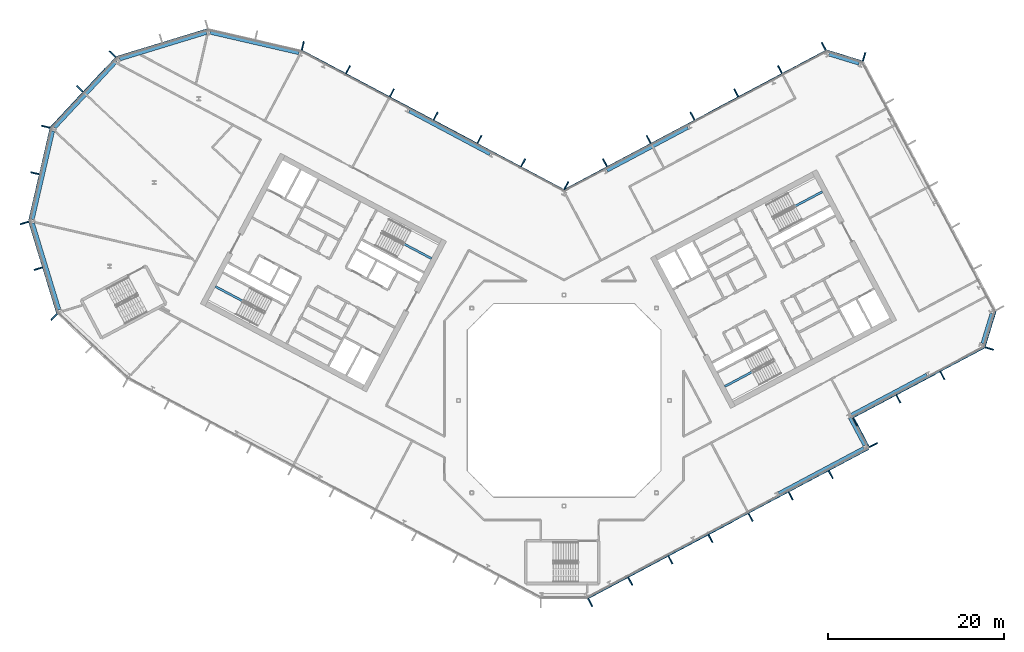
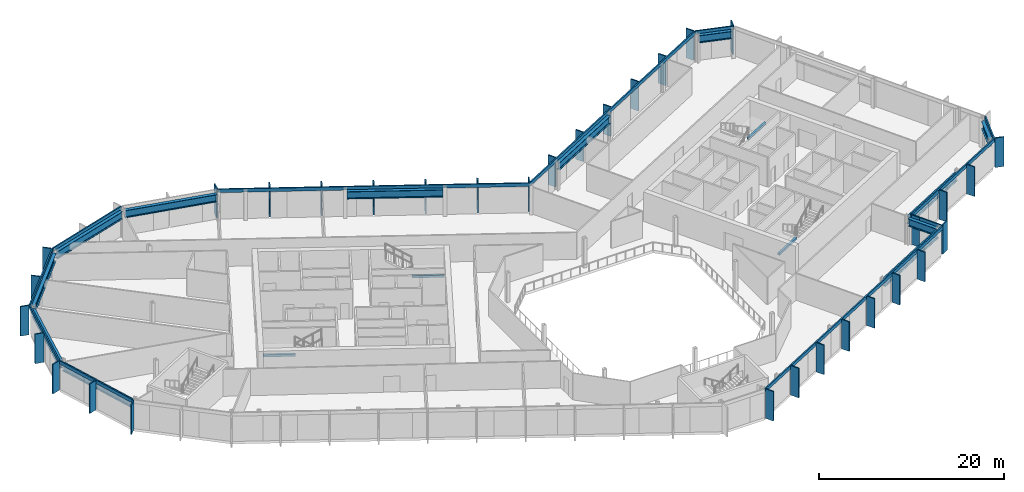
# One storey, part 9 of 26: 44 members, 16 beams, 13 elements without a shape of their own.
"""IFC4 building model written with IfcOpenShell, lengths in metres."""

from ifc_helpers import new_model, si_unit, direction, frame, origin, origin_2d, place, context, subcontext, project, spatial, rectangle, i_section, extrude, material, layer, layer_set, material_profile, profile_set, type_object, element, aggregate, save


model = new_model("IFC4")

# Units and contexts
model_context = context("Model", 3, precision=1e-05, world=origin(), true_north=direction((0.0, 1.0)))
body_context = subcontext(model_context, "Body", "Model", "MODEL_VIEW")
ifc_project = project(units=[si_unit("LENGTHUNIT", "METRE"), si_unit("AREAUNIT", "SQUARE_METRE"), si_unit("VOLUMEUNIT", "CUBIC_METRE"), si_unit("PLANEANGLEUNIT", "RADIAN"), si_unit("MASSUNIT", "GRAM", prefix="KILO")], contexts=[model_context])

# Site, building, storey
site_placement = place(None, origin())
site = spatial("IfcSite", under=ifc_project, at=site_placement, CompositionType="ELEMENT")
building_placement = place(site_placement, origin())
building = spatial("IfcBuilding", under=site, at=building_placement, Name="Cormorant Relay Tower", CompositionType="ELEMENT")
storey_placement = place(building_placement, frame((0.0, 0.0, 213.0)))
storey = spatial("IfcBuildingStorey", under=building, at=storey_placement, Name="L46", CompositionType="ELEMENT", Elevation=213.0)

# Curtain wall, members
ifc_material_1 = material(Name="Aluminium 6063-T6 anodised bronze", Category="aluminium")
ifc_layer = layer(ifc_material_1, 0.199951171875)
ifc_layer_set = layer_set([ifc_layer], Name="CW1 unitised bronze curtain wall with vertical fins")
curtain_wall_type = type_object("IfcCurtainWallType", Name="CW1 unitised bronze curtain wall with vertical fins", PredefinedType="NOTDEFINED", material=ifc_layer_set)
curtain_wall_1_placement = place(storey_placement, origin())
curtain_wall_1 = element("IfcCurtainWall", 1, at=curtain_wall_1_placement, inside=storey, type_object=curtain_wall_type, Name="CW1 curtain wall 2", PredefinedType="NOTDEFINED")
ifc_material_2 = material(Name="Aluminium 6063-T6 anodised bronze", Category="aluminium")
ifc_material_profile_1 = material_profile(ifc_material_2, rectangle(XDim=0.14990234375, YDim=1.0, at=origin_2d()), Name="AL 150x1000")
ifc_profile_set_1 = profile_set([ifc_material_profile_1], Name="Aluminium 6063-T6 anodised bronze")
member_type_1 = type_object("IfcMemberType", Name="CW1 bronze fin mullion 150 x 1000", PredefinedType="MULLION", material=ifc_profile_set_1)
member_1_placement = place(storey_placement, frame((2.9775390625, -22.99365234375, 0.0), z_axis=(0.0, 0.0, 1.0), x_axis=(0.882947592859, 0.469471562786, 0.0)))
member_1 = element("IfcMember", 2, at=member_1_placement, type_object=member_type_1, Name="CW1 fin 2.1", PredefinedType="MULLION", context=body_context, shape_type="SweptSolid", body=[
    extrude(rectangle(XDim=0.14990234375, YDim=1.0, at=origin_2d()), origin(), (0.0, 0.0, 1.0), 3.89990234375),
])
member_2_placement = place(storey_placement, frame((7.539306640625, -20.568115234375, 0.0), z_axis=(0.0, 0.0, 1.0), x_axis=(0.882947592859, 0.469471562786, 0.0)))
member_2 = element("IfcMember", 3, at=member_2_placement, type_object=member_type_1, Name="CW1 fin 2.2", PredefinedType="MULLION", context=body_context, shape_type="SweptSolid", body=[
    extrude(rectangle(XDim=0.14990234375, YDim=1.0, at=origin_2d()), origin(), (0.0, 0.0, 1.0), 3.89990234375),
])
member_3_placement = place(storey_placement, frame((12.10107421875, -18.142578125, 0.0), z_axis=(0.0, 0.0, 1.0), x_axis=(0.882947592859, 0.469471562786, 0.0)))
member_3 = element("IfcMember", 4, at=member_3_placement, type_object=member_type_1, Name="CW1 fin 2.3", PredefinedType="MULLION", context=body_context, shape_type="SweptSolid", body=[
    extrude(rectangle(XDim=0.14990234375, YDim=1.0, at=origin_2d()), origin(), (0.0, 0.0, 1.0), 3.89990234375),
])
member_4_placement = place(storey_placement, frame((16.662841796875, -15.717041015625, 0.0), z_axis=(0.0, 0.0, 1.0), x_axis=(0.882947592859, 0.469471562786, 0.0)))
member_4 = element("IfcMember", 5, at=member_4_placement, type_object=member_type_1, Name="CW1 fin 2.4", PredefinedType="MULLION", context=body_context, shape_type="SweptSolid", body=[
    extrude(rectangle(XDim=0.14990234375, YDim=1.0, at=origin_2d()), origin(), (0.0, 0.0, 1.0), 3.89990234375),
])
member_5_placement = place(storey_placement, frame((21.224609375, -13.29150390625, 0.0), z_axis=(0.0, 0.0, 1.0), x_axis=(0.882947592859, 0.469471562786, 0.0)))
member_5 = element("IfcMember", 6, at=member_5_placement, type_object=member_type_1, Name="CW1 fin 2.5", PredefinedType="MULLION", context=body_context, shape_type="SweptSolid", body=[
    extrude(rectangle(XDim=0.14990234375, YDim=1.0, at=origin_2d()), origin(), (0.0, 0.0, 1.0), 3.89990234375),
])
member_6_placement = place(storey_placement, frame((25.78662109375, -10.865966796875, 0.0), z_axis=(0.0, 0.0, 1.0), x_axis=(0.882947592859, 0.469471562786, 0.0)))
member_6 = element("IfcMember", 7, at=member_6_placement, type_object=member_type_1, Name="CW1 fin 2.6", PredefinedType="MULLION", context=body_context, shape_type="SweptSolid", body=[
    extrude(rectangle(XDim=0.14990234375, YDim=1.0, at=origin_2d()), origin(), (0.0, 0.0, 1.0), 3.89990234375),
])
member_7_placement = place(storey_placement, frame((30.348388671875, -8.440185546875, 0.0), z_axis=(0.0, 0.0, 1.0), x_axis=(0.882947592859, 0.469471562786, 0.0)))
member_7 = element("IfcMember", 8, at=member_7_placement, type_object=member_type_1, Name="CW1 fin 2.7", PredefinedType="MULLION", context=body_context, shape_type="SweptSolid", body=[
    extrude(rectangle(XDim=0.14990234375, YDim=1.0, at=origin_2d()), origin(), (0.0, 0.0, 1.0), 3.89990234375),
])

# Curtain wall, member
curtain_wall_2_placement = place(storey_placement, origin())
curtain_wall_2 = element("IfcCurtainWall", 9, at=curtain_wall_2_placement, inside=storey, type_object=curtain_wall_type, Name="CW1 curtain wall 3", PredefinedType="NOTDEFINED")
member_8_placement = place(storey_placement, frame((35.199462890625, -5.068115234375, 0.0), z_axis=(0.0, 0.0, 1.0), x_axis=(-0.469471562786, 0.882947592859, 0.0)))
member_8 = element("IfcMember", 10, at=member_8_placement, type_object=member_type_1, Name="CW1 fin 3.1", PredefinedType="MULLION", context=body_context, shape_type="SweptSolid", body=[
    extrude(rectangle(XDim=0.14990234375, YDim=1.0, at=origin_2d()), origin(), (0.0, 0.0, 1.0), 3.89990234375),
])

# Curtain wall, members
curtain_wall_3_placement = place(storey_placement, origin())
curtain_wall_3 = element("IfcCurtainWall", 11, at=curtain_wall_3_placement, inside=storey, type_object=curtain_wall_type, Name="CW1 curtain wall 4", PredefinedType="NOTDEFINED")
member_9_placement = place(storey_placement, frame((33.098388671875, -2.44775390625, 0.0), z_axis=(0.0, 0.0, 1.0), x_axis=(0.882947592859, 0.469471562786, 0.0)))
member_9 = element("IfcMember", 12, at=member_9_placement, type_object=member_type_1, Name="CW1 fin 4.1", PredefinedType="MULLION", context=body_context, shape_type="SweptSolid", body=[
    extrude(rectangle(XDim=0.14990234375, YDim=1.0, at=origin_2d()), origin(), (0.0, 0.0, 1.0), 3.89990234375),
])
member_10_placement = place(storey_placement, frame((38.035400390625, 0.177490234375, 0.0), z_axis=(0.0, 0.0, 1.0), x_axis=(0.882947592859, 0.469471562786, 0.0)))
member_10 = element("IfcMember", 13, at=member_10_placement, type_object=member_type_1, Name="CW1 fin 4.2", PredefinedType="MULLION", context=body_context, shape_type="SweptSolid", body=[
    extrude(rectangle(XDim=0.14990234375, YDim=1.0, at=origin_2d()), origin(), (0.0, 0.0, 1.0), 3.89990234375),
])
member_11_placement = place(storey_placement, frame((43.038818359375, 2.837646484375, 0.0), z_axis=(0.0, 0.0, 1.0), x_axis=(0.882947592859, 0.469471562786, 0.0)))
member_11 = element("IfcMember", 14, at=member_11_placement, type_object=member_type_1, Name="CW1 fin 4.3", PredefinedType="MULLION", context=body_context, shape_type="SweptSolid", body=[
    extrude(rectangle(XDim=0.14990234375, YDim=1.0, at=origin_2d()), origin(), (0.0, 0.0, 1.0), 3.89990234375),
])

# Curtain wall, member
curtain_wall_4_placement = place(storey_placement, origin())
curtain_wall_4 = element("IfcCurtainWall", 15, at=curtain_wall_4_placement, inside=storey, type_object=curtain_wall_type, Name="CW1 curtain wall 5", PredefinedType="NOTDEFINED")
member_12_placement = place(storey_placement, frame((48.383056640625, 5.91162109375, 0.0), z_axis=(0.0, 0.0, 1.0), x_axis=(0.292371704723, 0.956304755963, 0.0)))
member_12 = element("IfcMember", 16, at=member_12_placement, type_object=member_type_1, Name="CW1 fin 5.1", PredefinedType="MULLION", context=body_context, shape_type="SweptSolid", body=[
    extrude(rectangle(XDim=0.14990234375, YDim=1.0, at=origin_2d()), origin(), (0.0, 0.0, 1.0), 3.89990234375),
])

curtain_wall_5_placement = place(storey_placement, origin())
curtain_wall_5 = element("IfcCurtainWall", 17, at=curtain_wall_5_placement, inside=storey, type_object=curtain_wall_type, Name="CW1 curtain wall 7", PredefinedType="NOTDEFINED")
member_13_placement = place(storey_placement, frame((34.1357421875, 39.09716796875, 0.0), z_axis=(0.0, 0.0, 1.0), x_axis=(-0.956304755963, 0.292371704723, 0.0)))
member_13 = element("IfcMember", 18, at=member_13_placement, type_object=member_type_1, Name="CW1 fin 7.1", PredefinedType="MULLION", context=body_context, shape_type="SweptSolid", body=[
    extrude(rectangle(XDim=0.14990234375, YDim=1.0, at=origin_2d()), origin(), (0.0, 0.0, 1.0), 3.89990234375),
])

# Curtain wall, members
curtain_wall_6_placement = place(storey_placement, origin())
curtain_wall_6 = element("IfcCurtainWall", 19, at=curtain_wall_6_placement, inside=storey, type_object=curtain_wall_type, Name="CW1 curtain wall 8", PredefinedType="NOTDEFINED")
member_14_placement = place(storey_placement, frame((29.545166015625, 40.2861328125, 0.0), z_axis=(0.0, 0.0, 1.0), x_axis=(-0.882947592859, -0.469471562786, 0.0)))
member_14 = element("IfcMember", 20, at=member_14_placement, type_object=member_type_1, Name="CW1 fin 8.1", PredefinedType="MULLION", context=body_context, shape_type="SweptSolid", body=[
    extrude(rectangle(XDim=0.14990234375, YDim=1.0, at=origin_2d()), origin(), (0.0, 0.0, 1.0), 3.89990234375),
])
member_15_placement = place(storey_placement, frame((24.566162109375, 37.638916015625, 0.0), z_axis=(0.0, 0.0, 1.0), x_axis=(-0.882947592859, -0.469471562786, 0.0)))
member_15 = element("IfcMember", 21, at=member_15_placement, type_object=member_type_1, Name="CW1 fin 8.2", PredefinedType="MULLION", context=body_context, shape_type="SweptSolid", body=[
    extrude(rectangle(XDim=0.14990234375, YDim=1.0, at=origin_2d()), origin(), (0.0, 0.0, 1.0), 3.89990234375),
])
member_16_placement = place(storey_placement, frame((19.587158203125, 34.991455078125, 0.0), z_axis=(0.0, 0.0, 1.0), x_axis=(-0.882947592859, -0.469471562786, 0.0)))
member_16 = element("IfcMember", 22, at=member_16_placement, type_object=member_type_1, Name="CW1 fin 8.3", PredefinedType="MULLION", context=body_context, shape_type="SweptSolid", body=[
    extrude(rectangle(XDim=0.14990234375, YDim=1.0, at=origin_2d()), origin(), (0.0, 0.0, 1.0), 3.89990234375),
])
member_17_placement = place(storey_placement, frame((14.608154296875, 32.343994140625, 0.0), z_axis=(0.0, 0.0, 1.0), x_axis=(-0.882947592859, -0.469471562786, 0.0)))
member_17 = element("IfcMember", 23, at=member_17_placement, type_object=member_type_1, Name="CW1 fin 8.4", PredefinedType="MULLION", context=body_context, shape_type="SweptSolid", body=[
    extrude(rectangle(XDim=0.14990234375, YDim=1.0, at=origin_2d()), origin(), (0.0, 0.0, 1.0), 3.89990234375),
])
member_18_placement = place(storey_placement, frame((9.62939453125, 29.69677734375, 0.0), z_axis=(0.0, 0.0, 1.0), x_axis=(-0.882947592859, -0.469471562786, 0.0)))
member_18 = element("IfcMember", 24, at=member_18_placement, type_object=member_type_1, Name="CW1 fin 8.5", PredefinedType="MULLION", context=body_context, shape_type="SweptSolid", body=[
    extrude(rectangle(XDim=0.14990234375, YDim=1.0, at=origin_2d()), origin(), (0.0, 0.0, 1.0), 3.89990234375),
])
member_19_placement = place(storey_placement, frame((4.650390625, 27.04931640625, 0.0), z_axis=(0.0, 0.0, 1.0), x_axis=(-0.882947592859, -0.469471562786, 0.0)))
member_19 = element("IfcMember", 25, at=member_19_placement, type_object=member_type_1, Name="CW1 fin 8.6", PredefinedType="MULLION", context=body_context, shape_type="SweptSolid", body=[
    extrude(rectangle(XDim=0.14990234375, YDim=1.0, at=origin_2d()), origin(), (0.0, 0.0, 1.0), 3.89990234375),
])

curtain_wall_7_placement = place(storey_placement, origin())
curtain_wall_7 = element("IfcCurtainWall", 26, at=curtain_wall_7_placement, inside=storey, type_object=curtain_wall_type, Name="CW1 curtain wall 9", PredefinedType="NOTDEFINED")
member_20_placement = place(storey_placement, frame((0.262451171875, 24.437255859375, 0.0), z_axis=(0.0, 0.0, 1.0), x_axis=(-0.882947592859, 0.469471562786, 0.0)))
member_20 = element("IfcMember", 27, at=member_20_placement, type_object=member_type_1, Name="CW1 fin 9.1", PredefinedType="MULLION", context=body_context, shape_type="SweptSolid", body=[
    extrude(rectangle(XDim=0.14990234375, YDim=1.0, at=origin_2d()), origin(), (0.0, 0.0, 1.0), 3.89990234375),
])
member_21_placement = place(storey_placement, frame((-4.650390625, 27.04931640625, 0.0), z_axis=(0.0, 0.0, 1.0), x_axis=(-0.882947592859, 0.469471562786, 0.0)))
member_21 = element("IfcMember", 28, at=member_21_placement, type_object=member_type_1, Name="CW1 fin 9.2", PredefinedType="MULLION", context=body_context, shape_type="SweptSolid", body=[
    extrude(rectangle(XDim=0.14990234375, YDim=1.0, at=origin_2d()), origin(), (0.0, 0.0, 1.0), 3.89990234375),
])
member_22_placement = place(storey_placement, frame((-9.62939453125, 29.69677734375, 0.0), z_axis=(0.0, 0.0, 1.0), x_axis=(-0.882947592859, 0.469471562786, 0.0)))
member_22 = element("IfcMember", 29, at=member_22_placement, type_object=member_type_1, Name="CW1 fin 9.3", PredefinedType="MULLION", context=body_context, shape_type="SweptSolid", body=[
    extrude(rectangle(XDim=0.14990234375, YDim=1.0, at=origin_2d()), origin(), (0.0, 0.0, 1.0), 3.89990234375),
])
member_23_placement = place(storey_placement, frame((-14.608154296875, 32.343994140625, 0.0), z_axis=(0.0, 0.0, 1.0), x_axis=(-0.882947592859, 0.469471562786, 0.0)))
member_23 = element("IfcMember", 30, at=member_23_placement, type_object=member_type_1, Name="CW1 fin 9.4", PredefinedType="MULLION", context=body_context, shape_type="SweptSolid", body=[
    extrude(rectangle(XDim=0.14990234375, YDim=1.0, at=origin_2d()), origin(), (0.0, 0.0, 1.0), 3.89990234375),
])
member_24_placement = place(storey_placement, frame((-19.587158203125, 34.991455078125, 0.0), z_axis=(0.0, 0.0, 1.0), x_axis=(-0.882947592859, 0.469471562786, 0.0)))
member_24 = element("IfcMember", 31, at=member_24_placement, type_object=member_type_1, Name="CW1 fin 9.5", PredefinedType="MULLION", context=body_context, shape_type="SweptSolid", body=[
    extrude(rectangle(XDim=0.14990234375, YDim=1.0, at=origin_2d()), origin(), (0.0, 0.0, 1.0), 3.89990234375),
])
member_25_placement = place(storey_placement, frame((-24.566162109375, 37.638916015625, 0.0), z_axis=(0.0, 0.0, 1.0), x_axis=(-0.882947592859, 0.469471562786, 0.0)))
member_25 = element("IfcMember", 32, at=member_25_placement, type_object=member_type_1, Name="CW1 fin 9.6", PredefinedType="MULLION", context=body_context, shape_type="SweptSolid", body=[
    extrude(rectangle(XDim=0.14990234375, YDim=1.0, at=origin_2d()), origin(), (0.0, 0.0, 1.0), 3.89990234375),
])

# Curtain wall, member
curtain_wall_8_placement = place(storey_placement, origin())
curtain_wall_8 = element("IfcCurtainWall", 33, at=curtain_wall_8_placement, inside=storey, type_object=curtain_wall_type, Name="CW1 curtain wall 10", PredefinedType="NOTDEFINED")
member_26_placement = place(storey_placement, frame((-29.71630859375, 40.35009765625, 0.0), z_axis=(0.0, 0.0, 1.0), x_axis=(-0.974370064785, 0.224951054344, 0.0)))
member_26 = element("IfcMember", 34, at=member_26_placement, type_object=member_type_1, Name="CW1 fin 10.1", PredefinedType="MULLION", context=body_context, shape_type="SweptSolid", body=[
    extrude(rectangle(XDim=0.14990234375, YDim=1.0, at=origin_2d()), origin(), (0.0, 0.0, 1.0), 3.89990234375),
])
aggregate(curtain_wall_8, [member_26])

# Curtain wall, members
curtain_wall_9_placement = place(storey_placement, origin())
curtain_wall_9 = element("IfcCurtainWall", 35, at=curtain_wall_9_placement, inside=storey, type_object=curtain_wall_type, Name="CW1 curtain wall 12", PredefinedType="NOTDEFINED")
member_27_placement = place(storey_placement, frame((-51.372802734375, 39.41259765625, 0.0), z_axis=(0.0, 0.0, 1.0), x_axis=(-0.681998360062, -0.731353701619, 0.0)))
member_27 = element("IfcMember", 36, at=member_27_placement, type_object=member_type_1, Name="CW1 fin 12.1", PredefinedType="MULLION", context=body_context, shape_type="SweptSolid", body=[
    extrude(rectangle(XDim=0.14990234375, YDim=1.0, at=origin_2d()), origin(), (0.0, 0.0, 1.0), 3.89990234375),
])
member_28_placement = place(storey_placement, frame((-55.07958984375, 35.4375, 0.0), z_axis=(0.0, 0.0, 1.0), x_axis=(-0.681998360062, -0.731353701619, 0.0)))
member_28 = element("IfcMember", 37, at=member_28_placement, type_object=member_type_1, Name="CW1 fin 12.2", PredefinedType="MULLION", context=body_context, shape_type="SweptSolid", body=[
    extrude(rectangle(XDim=0.14990234375, YDim=1.0, at=origin_2d()), origin(), (0.0, 0.0, 1.0), 3.89990234375),
])

curtain_wall_10_placement = place(storey_placement, origin())
curtain_wall_10 = element("IfcCurtainWall", 38, at=curtain_wall_10_placement, inside=storey, type_object=curtain_wall_type, Name="CW1 curtain wall 13", PredefinedType="NOTDEFINED")
member_29_placement = place(storey_placement, frame((-58.95654296875, 31.142578125, 0.0), z_axis=(0.0, 0.0, 1.0), x_axis=(-0.224951054344, -0.974370064785, 0.0)))
member_29 = element("IfcMember", 39, at=member_29_placement, type_object=member_type_1, Name="CW1 fin 13.1", PredefinedType="MULLION", context=body_context, shape_type="SweptSolid", body=[
    extrude(rectangle(XDim=0.14990234375, YDim=1.0, at=origin_2d()), origin(), (0.0, 0.0, 1.0), 3.89990234375),
])
member_30_placement = place(storey_placement, frame((-60.17919921875, 25.8466796875, 0.0), z_axis=(0.0, 0.0, 1.0), x_axis=(-0.224951054344, -0.974370064785, 0.0)))
member_30 = element("IfcMember", 40, at=member_30_placement, type_object=member_type_1, Name="CW1 fin 13.2", PredefinedType="MULLION", context=body_context, shape_type="SweptSolid", body=[
    extrude(rectangle(XDim=0.14990234375, YDim=1.0, at=origin_2d()), origin(), (0.0, 0.0, 1.0), 3.89990234375),
])

curtain_wall_11_placement = place(storey_placement, origin())
curtain_wall_11 = element("IfcCurtainWall", 41, at=curtain_wall_11_placement, inside=storey, type_object=curtain_wall_type, Name="CW1 curtain wall 14", PredefinedType="NOTDEFINED")
member_31_placement = place(storey_placement, frame((-61.389404296875, 20.188720703125, 0.0), z_axis=(0.0, 0.0, 1.0), x_axis=(0.292371704723, -0.956304755963, 0.0)))
member_31 = element("IfcMember", 42, at=member_31_placement, type_object=member_type_1, Name="CW1 fin 14.1", PredefinedType="MULLION", context=body_context, shape_type="SweptSolid", body=[
    extrude(rectangle(XDim=0.14990234375, YDim=1.0, at=origin_2d()), origin(), (0.0, 0.0, 1.0), 3.89990234375),
])
member_32_placement = place(storey_placement, frame((-59.80029296875, 14.990966796875, 0.0), z_axis=(0.0, 0.0, 1.0), x_axis=(0.292371704723, -0.956304755963, 0.0)))
member_32 = element("IfcMember", 43, at=member_32_placement, type_object=member_type_1, Name="CW1 fin 14.2", PredefinedType="MULLION", context=body_context, shape_type="SweptSolid", body=[
    extrude(rectangle(XDim=0.14990234375, YDim=1.0, at=origin_2d()), origin(), (0.0, 0.0, 1.0), 3.89990234375),
])

# Curtain wall, member
curtain_wall_12_placement = place(storey_placement, origin())
curtain_wall_12 = element("IfcCurtainWall", 44, at=curtain_wall_12_placement, inside=storey, type_object=curtain_wall_type, Name="CW1 curtain wall 15", PredefinedType="NOTDEFINED")
member_33_placement = place(storey_placement, frame((-58.01904296875, 9.486083984375, 0.0), z_axis=(0.0, 0.0, 1.0), x_axis=(0.731353701619, -0.681998360062, 0.0)))
member_33 = element("IfcMember", 45, at=member_33_placement, type_object=member_type_1, Name="CW1 fin 15.1", PredefinedType="MULLION", context=body_context, shape_type="SweptSolid", body=[
    extrude(rectangle(XDim=0.14990234375, YDim=1.0, at=origin_2d()), origin(), (0.0, 0.0, 1.0), 3.89990234375),
])
aggregate(curtain_wall_12, [member_33])

# Member
ifc_material_3 = material(Name="Aluminium 6063-T6 anodised bronze", Category="aluminium")
ifc_material_profile_2 = material_profile(ifc_material_3, rectangle(XDim=0.159912109375, YDim=0.449951171875, at=origin_2d()), Name="AL 160x450")
ifc_profile_set_2 = profile_set([ifc_material_profile_2], Name="Aluminium 6063-T6 anodised bronze")
member_type_2 = type_object("IfcMemberType", Name="CW1 bronze transom 160 x 450", PredefinedType="USERDEFINED", material=ifc_profile_set_2)
member_34_placement = place(storey_placement, frame((2.705078125, -22.4814453125, 3.675048828125), z_axis=(0.882948899141, 0.469469106018, 0.0), x_axis=(-0.469469106018, 0.882948899141, 0.0)))
member_34 = element("IfcMember", 46, at=member_34_placement, type_object=member_type_2, Name="CW1 transom 2", ObjectType="TRANSOM", PredefinedType="USERDEFINED", context=body_context, shape_type="SweptSolid", body=[
    extrude(rectangle(XDim=0.159912109375, YDim=0.449951171875, at=origin_2d()), origin(), (0.0, 0.0, 1.0), 36.165771484375),
])

aggregate(curtain_wall_1, [member_1, member_2, member_3, member_4, member_5, member_6, member_7, member_34])

member_35_placement = place(storey_placement, frame((34.6875, -5.34033203125, 3.675048828125), z_axis=(-0.469485426614, 0.882940221191, 0.0), x_axis=(-0.882940221191, -0.469485426614, 0.0)))
member_35 = element("IfcMember", 47, at=member_35_placement, type_object=member_type_2, Name="CW1 transom 3", ObjectType="TRANSOM", PredefinedType="USERDEFINED", context=body_context, shape_type="SweptSolid", body=[
    extrude(rectangle(XDim=0.159912109375, YDim=0.449951171875, at=origin_2d()), origin(), (0.0, 0.0, 1.0), 4.0),
])

aggregate(curtain_wall_2, [member_8, member_35])

member_36_placement = place(storey_placement, frame((32.760009765625, -1.970947265625, 3.675048828125), z_axis=(0.882941803911, 0.469482450052, 0.0), x_axis=(-0.469482450052, 0.882941803911, 0.0)))
member_36 = element("IfcMember", 48, at=member_36_placement, type_object=member_type_2, Name="CW1 transom 4", ObjectType="TRANSOM", PredefinedType="USERDEFINED", context=body_context, shape_type="SweptSolid", body=[
    extrude(rectangle(XDim=0.159912109375, YDim=0.449951171875, at=origin_2d()), origin(), (0.0, 0.0, 1.0), 17.0),
])

aggregate(curtain_wall_3, [member_9, member_10, member_11, member_36])

member_37_placement = place(storey_placement, frame((47.828369140625, 6.0810546875, 3.675048828125), z_axis=(0.292391046905, 0.95629884225, 0.0), x_axis=(-0.95629884225, 0.292391046905, 0.0)))
member_37 = element("IfcMember", 49, at=member_37_placement, type_object=member_type_2, Name="CW1 transom 5", ObjectType="TRANSOM", PredefinedType="USERDEFINED", context=body_context, shape_type="SweptSolid", body=[
    extrude(rectangle(XDim=0.159912109375, YDim=0.449951171875, at=origin_2d()), origin(), (0.0, 0.0, 1.0), 4.242431640625),
])

aggregate(curtain_wall_4, [member_12, member_37])

member_38_placement = place(storey_placement, frame((33.966064453125, 38.54248046875, 3.675048828125), z_axis=(-0.956303761594, 0.292374957137, 0.0), x_axis=(-0.292374957137, -0.956303761594, 0.0)))
member_38 = element("IfcMember", 50, at=member_38_placement, type_object=member_type_2, Name="CW1 transom 7", ObjectType="TRANSOM", PredefinedType="USERDEFINED", context=body_context, shape_type="SweptSolid", body=[
    extrude(rectangle(XDim=0.159912109375, YDim=0.449951171875, at=origin_2d()), origin(), (0.0, 0.0, 1.0), 4.24267578125),
])

aggregate(curtain_wall_5, [member_13, member_38])

member_39_placement = place(storey_placement, frame((29.8173828125, 39.774169921875, 3.675048828125), z_axis=(-0.882946280328, -0.46947403129, 0.0), x_axis=(0.46947403129, -0.882946280328, 0.0)))
member_39 = element("IfcMember", 51, at=member_39_placement, type_object=member_type_2, Name="CW1 transom 8", ObjectType="TRANSOM", PredefinedType="USERDEFINED", context=body_context, shape_type="SweptSolid", body=[
    extrude(rectangle(XDim=0.159912109375, YDim=0.449951171875, at=origin_2d()), origin(), (0.0, 0.0, 1.0), 33.834228515625),
])

aggregate(curtain_wall_6, [member_14, member_15, member_16, member_17, member_18, member_19, member_39])

member_40_placement = place(storey_placement, frame((0.056396484375, 23.889892578125, 3.675048828125), z_axis=(-0.882946280328, 0.46947403129, 0.0), x_axis=(-0.46947403129, -0.882946280328, 0.0)))
member_40 = element("IfcMember", 52, at=member_40_placement, type_object=member_type_2, Name="CW1 transom 9", ObjectType="TRANSOM", PredefinedType="USERDEFINED", context=body_context, shape_type="SweptSolid", body=[
    extrude(rectangle(XDim=0.159912109375, YDim=0.449951171875, at=origin_2d()), origin(), (0.0, 0.0, 1.0), 33.834228515625),
])

aggregate(curtain_wall_7, [member_20, member_21, member_22, member_23, member_24, member_25, member_40])

# Curtain wall, member
curtain_wall_13_placement = place(storey_placement, origin())
curtain_wall_13 = element("IfcCurtainWall", 53, at=curtain_wall_13_placement, inside=storey, type_object=curtain_wall_type, Name="CW1 curtain wall 11", PredefinedType="NOTDEFINED")
member_41_placement = place(storey_placement, frame((-40.50048828125, 42.228271484375, 3.675048828125), z_axis=(-0.956304833932, -0.292371449698, 0.0), x_axis=(0.292371449698, -0.956304833932, 0.0)))
member_41 = element("IfcMember", 54, at=member_41_placement, type_object=member_type_2, Name="CW1 transom 11", ObjectType="TRANSOM", PredefinedType="USERDEFINED", context=body_context, shape_type="SweptSolid", body=[
    extrude(rectangle(XDim=0.159912109375, YDim=0.449951171875, at=origin_2d()), origin(), (0.0, 0.0, 1.0), 10.87060546875),
])
aggregate(curtain_wall_13, [member_41])

# Member
member_42_placement = place(storey_placement, frame((-50.94873046875, 39.01708984375, 3.675048828125), z_axis=(-0.681993299437, -0.731358420696, 0.0), x_axis=(0.731358420696, -0.681993299437, 0.0)))
member_42 = element("IfcMember", 55, at=member_42_placement, type_object=member_type_2, Name="CW1 transom 12", ObjectType="TRANSOM", PredefinedType="USERDEFINED", context=body_context, shape_type="SweptSolid", body=[
    extrude(rectangle(XDim=0.159912109375, YDim=0.449951171875, at=origin_2d()), origin(), (0.0, 0.0, 1.0), 10.870361328125),
])

aggregate(curtain_wall_9, [member_27, member_28, member_42])

member_43_placement = place(storey_placement, frame((-58.3916015625, 31.01220703125, 3.675048828125), z_axis=(-0.22495136131, -0.974369993916, 0.0), x_axis=(0.974369993916, -0.22495136131, 0.0)))
member_43 = element("IfcMember", 56, at=member_43_placement, type_object=member_type_2, Name="CW1 transom 13", ObjectType="TRANSOM", PredefinedType="USERDEFINED", context=body_context, shape_type="SweptSolid", body=[
    extrude(rectangle(XDim=0.159912109375, YDim=0.449951171875, at=origin_2d()), origin(), (0.0, 0.0, 1.0), 10.870361328125),
])

aggregate(curtain_wall_10, [member_29, member_30, member_43])

member_44_placement = place(storey_placement, frame((-60.834716796875, 20.358154296875, 3.675048828125), z_axis=(0.292377729282, -0.95630291405, 0.0), x_axis=(0.95630291405, 0.292377729282, 0.0)))
member_44 = element("IfcMember", 57, at=member_44_placement, type_object=member_type_2, Name="CW1 transom 14", ObjectType="TRANSOM", PredefinedType="USERDEFINED", context=body_context, shape_type="SweptSolid", body=[
    extrude(rectangle(XDim=0.159912109375, YDim=0.449951171875, at=origin_2d()), origin(), (0.0, 0.0, 1.0), 10.870361328125),
])

aggregate(curtain_wall_11, [member_31, member_32, member_44])

# Beams
ifc_material_4 = material(Name="Steel ASTM A992 (Fy 345 MPa)", Category="steel")
ifc_material_profile_3 = material_profile(ifc_material_4, i_section(OverallWidth=0.4013671875, OverallDepth=0.990478515625, WebThickness=0.0166015625, FlangeThickness=0.031005859375, FilletRadius=0.030029296875, at=origin_2d()), Name="W1000x320")
ifc_profile_set_3 = profile_set([ifc_material_profile_3], Name="Steel ASTM A992 (Fy 345 MPa)")
beam_type_1 = type_object("IfcBeamType", Name="Spandrel W1000x320", PredefinedType="SPANDREL", material=ifc_profile_set_3)
beam_1_placement = place(storey_placement, frame((24.423583984375, -10.5703125, 3.044677734375), z_axis=(0.882952735253, 0.469461891221, 0.0), x_axis=(-0.469461891221, 0.882952735253, 0.0)))
element("IfcBeam", 58, at=beam_1_placement, inside=storey, type_object=beam_type_1, Name="Spandrel beam L46-002", PredefinedType="SPANDREL", context=body_context, shape_type="SweptSolid", body=[
    extrude(i_section(OverallWidth=0.4013671875, OverallDepth=0.990478515625, WebThickness=0.0166015625, FlangeThickness=0.031005859375, FilletRadius=0.030029296875, at=origin_2d()), origin(), (0.0, 0.0, 1.0), 10.96142578125),
])
beam_2_placement = place(storey_placement, frame((34.20458984375, -5.115478515625, 3.044677734375), z_axis=(-0.469423552529, 0.882973118691, 0.0), x_axis=(-0.882973118691, -0.469423552529, 0.0)))
element("IfcBeam", 59, at=beam_2_placement, inside=storey, type_object=beam_type_1, Name="Spandrel beam L46-003", PredefinedType="SPANDREL", context=body_context, shape_type="SweptSolid", body=[
    extrude(i_section(OverallWidth=0.4013671875, OverallDepth=0.990478515625, WebThickness=0.0166015625, FlangeThickness=0.031005859375, FilletRadius=0.030029296875, at=origin_2d()), origin(), (0.0, 0.0, 1.0), 3.56982421875),
])
beam_3_placement = place(storey_placement, frame((32.609375, -1.687744140625, 3.044677734375), z_axis=(0.882948215634, 0.469470391515, 0.0), x_axis=(-0.469470391515, 0.882948215634, 0.0)))
element("IfcBeam", 60, at=beam_3_placement, inside=storey, type_object=beam_type_1, Name="Spandrel beam L46-004", PredefinedType="SPANDREL", context=body_context, shape_type="SweptSolid", body=[
    extrude(i_section(OverallWidth=0.4013671875, OverallDepth=0.990478515625, WebThickness=0.0166015625, FlangeThickness=0.031005859375, FilletRadius=0.030029296875, at=origin_2d()), origin(), (0.0, 0.0, 1.0), 9.79736328125),
])
for number, where, z_axis, x_axis, name in (
    (61, (47.618896484375, 6.4921875, 3.044677734375), (0.292349563537, 0.956311524923, 0.0), (-0.956311524923, 0.292349563537, 0.0), "Spandrel beam L46-005"),
    (62, (33.5546875, 38.3330078125, 3.044677734375), (-0.956311524923, 0.292349563537, 0.0), (-0.292349563537, -0.956311524923, 0.0), "Spandrel beam L46-007"),
):
    element("IfcBeam", number, at=place(storey_placement, frame(where, z_axis=z_axis, x_axis=x_axis)), inside=storey, type_object=beam_type_1, Name=name, PredefinedType="SPANDREL", context=body_context, shape_type="SweptSolid", body=[
        extrude(i_section(OverallWidth=0.4013671875, OverallDepth=0.990478515625, WebThickness=0.0166015625, FlangeThickness=0.031005859375, FilletRadius=0.030029296875, at=origin_2d()), origin(), (0.0, 0.0, 1.0), 3.59765625),
    ])
for number, where, z_axis, x_axis, name in (
    (63, (14.0732421875, 31.03955078125, 3.044677734375), (-0.882949648898, -0.469467695918, 0.0), (0.469467695918, -0.882949648898, 0.0), "Spandrel beam L46-008"),
    (64, (-8.426025390625, 28.036865234375, 3.044677734375), (-0.882949648898, 0.469467695918, 0.0), (-0.469467695918, -0.882949648898, 0.0), "Spandrel beam L46-009"),
):
    element("IfcBeam", number, at=place(storey_placement, frame(where, z_axis=z_axis, x_axis=x_axis)), inside=storey, type_object=beam_type_1, Name=name, PredefinedType="SPANDREL", context=body_context, shape_type="SweptSolid", body=[
        extrude(i_section(OverallWidth=0.4013671875, OverallDepth=0.990478515625, WebThickness=0.0166015625, FlangeThickness=0.031005859375, FilletRadius=0.030029296875, at=origin_2d()), origin(), (0.0, 0.0, 1.0), 10.39599609375),
    ])
beam_4_placement = place(storey_placement, frame((-30.1533203125, 39.526611328125, 3.044677734375), z_axis=(-0.97436619016, 0.22496783653, 0.0), x_axis=(-0.22496783653, -0.97436619016, 0.0)))
element("IfcBeam", 65, at=beam_4_placement, inside=storey, type_object=beam_type_1, Name="Spandrel beam L46-010", PredefinedType="SPANDREL", context=body_context, shape_type="SweptSolid", body=[
    extrude(i_section(OverallWidth=0.4013671875, OverallDepth=0.990478515625, WebThickness=0.0166015625, FlangeThickness=0.031005859375, FilletRadius=0.030029296875, at=origin_2d()), origin(), (0.0, 0.0, 1.0), 10.369384765625),
])
beam_5_placement = place(storey_placement, frame((-40.680419921875, 41.837890625, 3.044677734375), z_axis=(-0.956303094801, -0.292377138084, 0.0), x_axis=(0.292377138084, -0.956303094801, 0.0)))
element("IfcBeam", 66, at=beam_5_placement, inside=storey, type_object=beam_type_1, Name="Spandrel beam L46-011", PredefinedType="SPANDREL", context=body_context, shape_type="SweptSolid", body=[
    extrude(i_section(OverallWidth=0.4013671875, OverallDepth=0.990478515625, WebThickness=0.0166015625, FlangeThickness=0.031005859375, FilletRadius=0.030029296875, at=origin_2d()), origin(), (0.0, 0.0, 1.0), 10.32421875),
])
beam_6_placement = place(storey_placement, frame((-50.90966796875, 38.5888671875, 3.044677734375), z_axis=(-0.681996285296, -0.731355636365, 0.0), x_axis=(0.731355636365, -0.681996285296, 0.0)))
element("IfcBeam", 67, at=beam_6_placement, inside=storey, type_object=beam_type_1, Name="Spandrel beam L46-012", PredefinedType="SPANDREL", context=body_context, shape_type="SweptSolid", body=[
    extrude(i_section(OverallWidth=0.4013671875, OverallDepth=0.990478515625, WebThickness=0.0166015625, FlangeThickness=0.031005859375, FilletRadius=0.030029296875, at=origin_2d()), origin(), (0.0, 0.0, 1.0), 10.32275390625),
])
beam_7_placement = place(storey_placement, frame((-58.143310546875, 30.66162109375, 3.044677734375), z_axis=(-0.224957947919, -0.974368473252, 0.0), x_axis=(0.974368473252, -0.224957947919, 0.0)))
element("IfcBeam", 68, at=beam_7_placement, inside=storey, type_object=beam_type_1, Name="Spandrel beam L46-013", PredefinedType="SPANDREL", context=body_context, shape_type="SweptSolid", body=[
    extrude(i_section(OverallWidth=0.4013671875, OverallDepth=0.990478515625, WebThickness=0.0166015625, FlangeThickness=0.031005859375, FilletRadius=0.030029296875, at=origin_2d()), origin(), (0.0, 0.0, 1.0), 10.32421875),
])
beam_8_placement = place(storey_placement, frame((-60.4443359375, 20.178466796875, 3.044677734375), z_axis=(0.29236873538, -0.956305663777, 0.0), x_axis=(0.956305663777, 0.29236873538, 0.0)))
element("IfcBeam", 69, at=beam_8_placement, inside=storey, type_object=beam_type_1, Name="Spandrel beam L46-014", PredefinedType="SPANDREL", context=body_context, shape_type="SweptSolid", body=[
    extrude(i_section(OverallWidth=0.4013671875, OverallDepth=0.990478515625, WebThickness=0.0166015625, FlangeThickness=0.031005859375, FilletRadius=0.030029296875, at=origin_2d()), origin(), (0.0, 0.0, 1.0), 10.32373046875),
])
ifc_material_5 = material(Name="Concrete 50 MPa", Category="concrete")
ifc_material_profile_4 = material_profile(ifc_material_5, rectangle(XDim=0.25, YDim=0.300048828125, at=origin_2d()), Name="RC 250x300")
ifc_profile_set_4 = profile_set([ifc_material_profile_4], Name="Concrete 50 MPa")
beam_type_2 = type_object("IfcBeamType", Name="Stair landing ledge beam 250x300", PredefinedType="BEAM", material=ifc_profile_set_4)
beam_9_placement = place(storey_placement, frame((-18.219482421875, 17.813720703125, 1.60009765625), z_axis=(0.882950035608, -0.469466968614, 0.0), x_axis=(0.469466968614, 0.882950035608, 0.0)))
element("IfcBeam", 70, at=beam_9_placement, inside=storey, type_object=beam_type_2, Name="A1 landing ledge beam", PredefinedType="BEAM", context=body_context, shape_type="SweptSolid", body=[
    extrude(rectangle(XDim=0.25, YDim=0.300048828125, at=origin_2d()), origin(), (0.0, 0.0, 1.0), 3.5498046875),
])
for number, where, z_axis, x_axis, name in (
    (71, (-36.523193359375, 11.29345703125, 1.60009765625), (-0.88293668587, 0.469492075273, 0.0), (-0.469492075273, -0.88293668587, 0.0), "A2 landing ledge beam"),
    (72, (21.4248046875, 3.265380859375, 1.60009765625), (-0.88296519247, -0.469438461235, 0.0), (0.469438461235, -0.88296519247, 0.0), "B1 landing ledge beam"),
    (73, (26.25439453125, 22.0859375, 1.60009765625), (0.88296519247, 0.469438461235, 0.0), (-0.469438461235, 0.88296519247, 0.0), "B2 landing ledge beam"),
):
    element("IfcBeam", number, at=place(storey_placement, frame(where, z_axis=z_axis, x_axis=x_axis)), inside=storey, type_object=beam_type_2, Name=name, PredefinedType="BEAM", context=body_context, shape_type="SweptSolid", body=[
        extrude(rectangle(XDim=0.25, YDim=0.300048828125, at=origin_2d()), origin(), (0.0, 0.0, 1.0), 3.550048828125),
    ])

save(model, "model.ifc")
